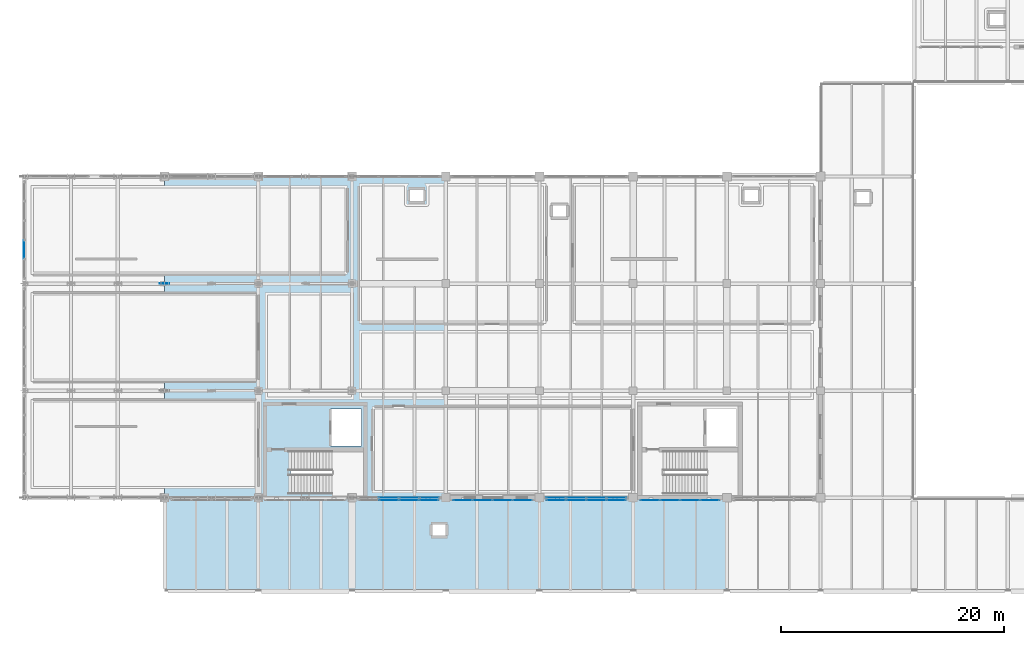
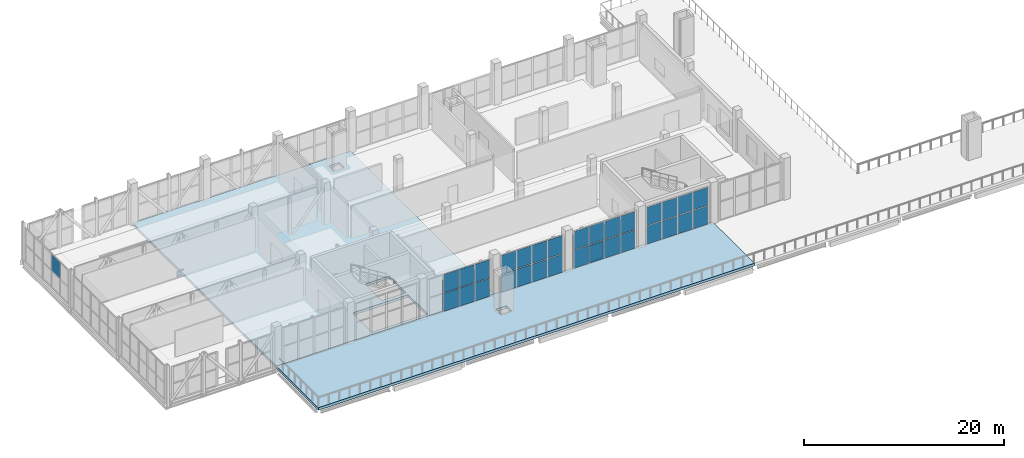
# One storey, part 50 of 77: 46 plates, 2 slabs, 7 elements without a shape of their own.
"""IFC4 building model written with IfcOpenShell, lengths in metres."""

from ifc_helpers import new_model, si_unit, direction, frame, origin, origin_2d, place, context, subcontext, project, spatial, polyline, rectangle, outline, extrude, material, layer, layer_set, type_object, element, aggregate, save


model = new_model("IFC4")

# Units and contexts
model_context = context("Model", 3, precision=1e-05, world=origin(), true_north=direction((0.0, 1.0)))
body_context = subcontext(model_context, "Body", "Model", "MODEL_VIEW")
ifc_project = project(units=[si_unit("LENGTHUNIT", "METRE"), si_unit("AREAUNIT", "SQUARE_METRE"), si_unit("VOLUMEUNIT", "CUBIC_METRE"), si_unit("PLANEANGLEUNIT", "RADIAN"), si_unit("MASSUNIT", "GRAM", prefix="KILO")], contexts=[model_context])

# Site, building, storey
site_placement = place(None, origin())
site = spatial("IfcSite", under=ifc_project, at=site_placement, CompositionType="ELEMENT")
building_placement = place(site_placement, origin())
building = spatial("IfcBuilding", under=site, at=building_placement, Name="Zulmaris Art Gallery", CompositionType="ELEMENT")
storey_placement = place(building_placement, frame((0.0, 0.0, 15.60009765625)))
storey = spatial("IfcBuildingStorey", under=building, at=storey_placement, Name="L03", CompositionType="ELEMENT", Elevation=15.60009765625)

# Curtain wall, plates
ifc_material_1 = material(Name="Unitised Low-E Gallery Curtain Wall", Category="aluminium")
ifc_layer_1 = layer(ifc_material_1, 0.179931640625)
ifc_layer_set_1 = layer_set([ifc_layer_1], Name="Unitised Low-E Gallery Curtain Wall")
curtain_wall_type_1 = type_object("IfcCurtainWallType", Name="CW-CW01", PredefinedType="NOTDEFINED", material=ifc_layer_set_1)
curtain_wall_1_placement = place(storey_placement, origin())
curtain_wall_1 = element("IfcCurtainWall", 1, at=curtain_wall_1_placement, inside=storey, type_object=curtain_wall_type_1, Name="L03 curtain wall 8", PredefinedType="NOTDEFINED")
ifc_material_2 = material(Name="Triple Solar-Control Laminated Glass", Category="glass")
ifc_layer_2 = layer(ifc_material_2, 0.035888671875)
ifc_layer_set_2 = layer_set([ifc_layer_2], Name="Triple Solar-Control Laminated Glass")
plate_type_1 = type_object("IfcPlateType", Name="CWPAN-GLZ", PredefinedType="CURTAIN_PANEL", material=ifc_layer_set_2)
plate_1_placement = place(storey_placement, frame((44.0849609375, 21.60009765625, 0.074951171875), z_axis=(0.0, 0.0, 1.0), x_axis=(1.0, 0.0, 0.0)))
plate_1 = element("IfcPlate", 2, at=plate_1_placement, type_object=plate_type_1, Name="CW01 panel 2.1", PredefinedType="CURTAIN_PANEL", context=body_context, shape_type="SweptSolid", body=[
    extrude(rectangle(XDim=1.7548828125, YDim=0.031982421875, at=origin_2d()), origin(), (0.0, 0.0, 1.0), 1.79248046875),
])
plate_2_placement = place(storey_placement, frame((44.0849609375, 21.60009765625, 1.9423828125), z_axis=(0.0, 0.0, 1.0), x_axis=(1.0, 0.0, 0.0)))
plate_2 = element("IfcPlate", 3, at=plate_2_placement, type_object=plate_type_1, Name="CW01 panel 2.2", PredefinedType="CURTAIN_PANEL", context=body_context, shape_type="SweptSolid", body=[
    extrude(rectangle(XDim=1.7548828125, YDim=0.031982421875, at=origin_2d()), origin(), (0.0, 0.0, 1.0), 1.79248046875),
])
plate_3_placement = place(storey_placement, frame((45.9150390625, 21.60009765625, 0.074951171875), z_axis=(0.0, 0.0, 1.0), x_axis=(1.0, 0.0, 0.0)))
plate_3 = element("IfcPlate", 4, at=plate_3_placement, type_object=plate_type_1, Name="CW01 panel 3.1", PredefinedType="CURTAIN_PANEL", context=body_context, shape_type="SweptSolid", body=[
    extrude(rectangle(XDim=1.7548828125, YDim=0.031982421875, at=origin_2d()), origin(), (0.0, 0.0, 1.0), 1.79248046875),
])
plate_4_placement = place(storey_placement, frame((45.9150390625, 21.60009765625, 1.9423828125), z_axis=(0.0, 0.0, 1.0), x_axis=(1.0, 0.0, 0.0)))
plate_4 = element("IfcPlate", 5, at=plate_4_placement, type_object=plate_type_1, Name="CW01 panel 3.2", PredefinedType="CURTAIN_PANEL", context=body_context, shape_type="SweptSolid", body=[
    extrude(rectangle(XDim=1.7548828125, YDim=0.031982421875, at=origin_2d()), origin(), (0.0, 0.0, 1.0), 1.79248046875),
])
plate_5_placement = place(storey_placement, frame((47.726318359375, 21.60009765625, 0.074951171875), z_axis=(0.0, 0.0, 1.0), x_axis=(1.0, 0.0, 0.0)))
plate_5 = element("IfcPlate", 6, at=plate_5_placement, type_object=plate_type_1, Name="CW01 panel 4.1", PredefinedType="CURTAIN_PANEL", context=body_context, shape_type="SweptSolid", body=[
    extrude(rectangle(XDim=1.717529296875, YDim=0.031982421875, at=origin_2d()), origin(), (0.0, 0.0, 1.0), 1.79248046875),
])
plate_6_placement = place(storey_placement, frame((47.726318359375, 21.60009765625, 1.9423828125), z_axis=(0.0, 0.0, 1.0), x_axis=(1.0, 0.0, 0.0)))
plate_6 = element("IfcPlate", 7, at=plate_6_placement, type_object=plate_type_1, Name="CW01 panel 4.2", PredefinedType="CURTAIN_PANEL", context=body_context, shape_type="SweptSolid", body=[
    extrude(rectangle(XDim=1.717529296875, YDim=0.031982421875, at=origin_2d()), origin(), (0.0, 0.0, 1.0), 1.79248046875),
])
aggregate(curtain_wall_1, [plate_1, plate_2, plate_3, plate_4, plate_5, plate_6])

curtain_wall_2_placement = place(storey_placement, origin())
curtain_wall_2 = element("IfcCurtainWall", 8, at=curtain_wall_2_placement, inside=storey, type_object=curtain_wall_type_1, Name="L03 curtain wall 11", PredefinedType="NOTDEFINED")
plate_7_placement = place(storey_placement, frame((59.07373046875, 21.60009765625, 0.07470703125), z_axis=(0.0, 0.0, 1.0), x_axis=(1.0, 0.0, 0.0)))
plate_7 = element("IfcPlate", 9, at=plate_7_placement, type_object=plate_type_1, Name="CW01 panel 1.1", PredefinedType="CURTAIN_PANEL", context=body_context, shape_type="SweptSolid", body=[
    extrude(rectangle(XDim=1.717529296875, YDim=0.031982421875, at=origin_2d()), origin(), (0.0, 0.0, 1.0), 1.947509765625),
])
plate_8_placement = place(storey_placement, frame((59.07373046875, 21.60009765625, 2.09716796875), z_axis=(0.0, 0.0, 1.0), x_axis=(1.0, 0.0, 0.0)))
plate_8 = element("IfcPlate", 10, at=plate_8_placement, type_object=plate_type_1, Name="CW01 panel 1.2", PredefinedType="CURTAIN_PANEL", context=body_context, shape_type="SweptSolid", body=[
    extrude(rectangle(XDim=1.717529296875, YDim=0.031982421875, at=origin_2d()), origin(), (0.0, 0.0, 1.0), 1.947509765625),
])
plate_9_placement = place(storey_placement, frame((60.885009765625, 21.60009765625, 0.07470703125), z_axis=(0.0, 0.0, 1.0), x_axis=(1.0, 0.0, 0.0)))
plate_9 = element("IfcPlate", 11, at=plate_9_placement, type_object=plate_type_1, Name="CW01 panel 2.1", PredefinedType="CURTAIN_PANEL", context=body_context, shape_type="SweptSolid", body=[
    extrude(rectangle(XDim=1.7548828125, YDim=0.031982421875, at=origin_2d()), origin(), (0.0, 0.0, 1.0), 1.947509765625),
])
plate_10_placement = place(storey_placement, frame((60.885009765625, 21.60009765625, 2.09716796875), z_axis=(0.0, 0.0, 1.0), x_axis=(1.0, 0.0, 0.0)))
plate_10 = element("IfcPlate", 12, at=plate_10_placement, type_object=plate_type_1, Name="CW01 panel 2.2", PredefinedType="CURTAIN_PANEL", context=body_context, shape_type="SweptSolid", body=[
    extrude(rectangle(XDim=1.7548828125, YDim=0.031982421875, at=origin_2d()), origin(), (0.0, 0.0, 1.0), 1.947509765625),
])
plate_11_placement = place(storey_placement, frame((62.715087890625, 21.60009765625, 0.07470703125), z_axis=(0.0, 0.0, 1.0), x_axis=(1.0, 0.0, 0.0)))
plate_11 = element("IfcPlate", 13, at=plate_11_placement, type_object=plate_type_1, Name="CW01 panel 3.1", PredefinedType="CURTAIN_PANEL", context=body_context, shape_type="SweptSolid", body=[
    extrude(rectangle(XDim=1.7548828125, YDim=0.031982421875, at=origin_2d()), origin(), (0.0, 0.0, 1.0), 1.947509765625),
])
plate_12_placement = place(storey_placement, frame((62.715087890625, 21.60009765625, 2.09716796875), z_axis=(0.0, 0.0, 1.0), x_axis=(1.0, 0.0, 0.0)))
plate_12 = element("IfcPlate", 14, at=plate_12_placement, type_object=plate_type_1, Name="CW01 panel 3.2", PredefinedType="CURTAIN_PANEL", context=body_context, shape_type="SweptSolid", body=[
    extrude(rectangle(XDim=1.7548828125, YDim=0.031982421875, at=origin_2d()), origin(), (0.0, 0.0, 1.0), 1.947509765625),
])
plate_13_placement = place(storey_placement, frame((64.5263671875, 21.60009765625, 0.07470703125), z_axis=(0.0, 0.0, 1.0), x_axis=(1.0, 0.0, 0.0)))
plate_13 = element("IfcPlate", 15, at=plate_13_placement, type_object=plate_type_1, Name="CW01 panel 4.1", PredefinedType="CURTAIN_PANEL", context=body_context, shape_type="SweptSolid", body=[
    extrude(rectangle(XDim=1.717529296875, YDim=0.031982421875, at=origin_2d()), origin(), (0.0, 0.0, 1.0), 1.947509765625),
])
plate_14_placement = place(storey_placement, frame((64.5263671875, 21.60009765625, 2.09716796875), z_axis=(0.0, 0.0, 1.0), x_axis=(1.0, 0.0, 0.0)))
plate_14 = element("IfcPlate", 16, at=plate_14_placement, type_object=plate_type_1, Name="CW01 panel 4.2", PredefinedType="CURTAIN_PANEL", context=body_context, shape_type="SweptSolid", body=[
    extrude(rectangle(XDim=1.717529296875, YDim=0.031982421875, at=origin_2d()), origin(), (0.0, 0.0, 1.0), 1.947509765625),
])
aggregate(curtain_wall_2, [plate_7, plate_8, plate_9, plate_10, plate_11, plate_12, plate_13, plate_14])

# Curtain wall, plate
ifc_material_3 = material(Name="Belvedere Horizon Glazed Curtain Wall", Category="aluminium")
ifc_layer_3 = layer(ifc_material_3, 0.179931640625)
ifc_layer_set_3 = layer_set([ifc_layer_3], Name="Belvedere Horizon Glazed Curtain Wall")
curtain_wall_type_2 = type_object("IfcCurtainWallType", Name="CW-CW02", PredefinedType="NOTDEFINED", material=ifc_layer_set_3)
curtain_wall_3_placement = place(storey_placement, origin())
curtain_wall_3 = element("IfcCurtainWall", 17, at=curtain_wall_3_placement, inside=storey, type_object=curtain_wall_type_2, Name="L03 curtain wall 18", PredefinedType="NOTDEFINED")
plate_15_placement = place(storey_placement, frame((11.39990234375, 43.860107421875, 2.1171875), z_axis=(0.0, 0.0, 1.0), x_axis=(0.0, 1.0, 0.0)))
plate_15 = element("IfcPlate", 18, at=plate_15_placement, type_object=plate_type_1, Name="CW02 panel 2.2", PredefinedType="CURTAIN_PANEL", context=body_context, shape_type="SweptSolid", body=[
    extrude(rectangle(XDim=1.6650390625, YDim=0.031982421875, at=origin_2d()), origin(), (0.0, 0.0, 1.0), 1.967529296875),
])
aggregate(curtain_wall_3, [plate_15])

# Curtain wall, plates
ifc_material_4 = material(Name="Perforated Bronze Art Deco Mashrabiya Screen", Category="aluminium")
ifc_layer_4 = layer(ifc_material_4, 0.179931640625)
ifc_layer_set_4 = layer_set([ifc_layer_4], Name="Perforated Bronze Art Deco Mashrabiya Screen")
curtain_wall_type_3 = type_object("IfcCurtainWallType", Name="CW-CW06", PredefinedType="USERDEFINED", material=ifc_layer_set_4)
curtain_wall_4_placement = place(storey_placement, origin())
curtain_wall_4 = element("IfcCurtainWall", 19, at=curtain_wall_4_placement, inside=storey, type_object=curtain_wall_type_3, Name="L03 Mashrabiya screen 173", ObjectType="MASHRABIYA SCREEN", PredefinedType="USERDEFINED")
ifc_material_5 = material(Name="Perforated Cast Bronze Chevron Panel", Category="aluminium")
ifc_layer_5 = layer(ifc_material_5, 0.02392578125)
ifc_layer_set_5 = layer_set([ifc_layer_5], Name="Perforated Cast Bronze Chevron Panel")
plate_type_2 = type_object("IfcPlateType", Name="CWPAN-MSH", PredefinedType="CURTAIN_PANEL", material=ifc_layer_set_5)
plate_16_placement = place(storey_placement, frame((44.10009765625, 21.3798828125, 0.074951171875), z_axis=(0.0, 0.0, 1.0), x_axis=(1.0, 0.0, 0.0)))
plate_16 = element("IfcPlate", 20, at=plate_16_placement, type_object=plate_type_2, Name="CW06 panel 2.1", PredefinedType="CURTAIN_PANEL", context=body_context, shape_type="SweptSolid", body=[
    extrude(rectangle(XDim=1.72509765625, YDim=0.031982421875, at=origin_2d()), origin(), (0.0, 0.0, 1.0), 2.21240234375),
])
plate_17_placement = place(storey_placement, frame((44.10009765625, 21.3798828125, 2.362548828125), z_axis=(0.0, 0.0, 1.0), x_axis=(1.0, 0.0, 0.0)))
plate_17 = element("IfcPlate", 21, at=plate_17_placement, type_object=plate_type_2, Name="CW06 panel 2.2", PredefinedType="CURTAIN_PANEL", context=body_context, shape_type="SweptSolid", body=[
    extrude(rectangle(XDim=1.72509765625, YDim=0.031982421875, at=origin_2d()), origin(), (0.0, 0.0, 1.0), 2.21240234375),
])
plate_18_placement = place(storey_placement, frame((45.89990234375, 21.3798828125, 0.074951171875), z_axis=(0.0, 0.0, 1.0), x_axis=(1.0, 0.0, 0.0)))
plate_18 = element("IfcPlate", 22, at=plate_18_placement, type_object=plate_type_2, Name="CW06 panel 3.1", PredefinedType="CURTAIN_PANEL", context=body_context, shape_type="SweptSolid", body=[
    extrude(rectangle(XDim=1.72509765625, YDim=0.031982421875, at=origin_2d()), origin(), (0.0, 0.0, 1.0), 2.21240234375),
])
plate_19_placement = place(storey_placement, frame((45.89990234375, 21.3798828125, 2.362548828125), z_axis=(0.0, 0.0, 1.0), x_axis=(1.0, 0.0, 0.0)))
plate_19 = element("IfcPlate", 23, at=plate_19_placement, type_object=plate_type_2, Name="CW06 panel 3.2", PredefinedType="CURTAIN_PANEL", context=body_context, shape_type="SweptSolid", body=[
    extrude(rectangle(XDim=1.72509765625, YDim=0.031982421875, at=origin_2d()), origin(), (0.0, 0.0, 1.0), 2.21240234375),
])
plate_20_placement = place(storey_placement, frame((47.68115234375, 21.3798828125, 0.074951171875), z_axis=(0.0, 0.0, 1.0), x_axis=(1.0, 0.0, 0.0)))
plate_20 = element("IfcPlate", 24, at=plate_20_placement, type_object=plate_type_2, Name="CW06 panel 4.1", PredefinedType="CURTAIN_PANEL", context=body_context, shape_type="SweptSolid", body=[
    extrude(rectangle(XDim=1.6875, YDim=0.031982421875, at=origin_2d()), origin(), (0.0, 0.0, 1.0), 2.21240234375),
])
plate_21_placement = place(storey_placement, frame((47.68115234375, 21.3798828125, 2.362548828125), z_axis=(0.0, 0.0, 1.0), x_axis=(1.0, 0.0, 0.0)))
plate_21 = element("IfcPlate", 25, at=plate_21_placement, type_object=plate_type_2, Name="CW06 panel 4.2", PredefinedType="CURTAIN_PANEL", context=body_context, shape_type="SweptSolid", body=[
    extrude(rectangle(XDim=1.6875, YDim=0.031982421875, at=origin_2d()), origin(), (0.0, 0.0, 1.0), 2.21240234375),
])
aggregate(curtain_wall_4, [plate_16, plate_17, plate_18, plate_19, plate_20, plate_21])

curtain_wall_5_placement = place(storey_placement, origin())
curtain_wall_5 = element("IfcCurtainWall", 26, at=curtain_wall_5_placement, inside=storey, type_object=curtain_wall_type_3, Name="L03 Mashrabiya screen 174", ObjectType="MASHRABIYA SCREEN", PredefinedType="USERDEFINED")
plate_22_placement = place(storey_placement, frame((50.71875, 21.3798828125, 0.074951171875), z_axis=(0.0, 0.0, 1.0), x_axis=(1.0, 0.0, 0.0)))
plate_22 = element("IfcPlate", 27, at=plate_22_placement, type_object=plate_type_2, Name="CW06 panel 1.1", PredefinedType="CURTAIN_PANEL", context=body_context, shape_type="SweptSolid", body=[
    extrude(rectangle(XDim=1.6875, YDim=0.031982421875, at=origin_2d()), origin(), (0.0, 0.0, 1.0), 2.21240234375),
])
plate_23_placement = place(storey_placement, frame((50.71875, 21.3798828125, 2.362548828125), z_axis=(0.0, 0.0, 1.0), x_axis=(1.0, 0.0, 0.0)))
plate_23 = element("IfcPlate", 28, at=plate_23_placement, type_object=plate_type_2, Name="CW06 panel 1.2", PredefinedType="CURTAIN_PANEL", context=body_context, shape_type="SweptSolid", body=[
    extrude(rectangle(XDim=1.6875, YDim=0.031982421875, at=origin_2d()), origin(), (0.0, 0.0, 1.0), 2.21240234375),
])
plate_24_placement = place(storey_placement, frame((52.5, 21.3798828125, 0.074951171875), z_axis=(0.0, 0.0, 1.0), x_axis=(1.0, 0.0, 0.0)))
plate_24 = element("IfcPlate", 29, at=plate_24_placement, type_object=plate_type_2, Name="CW06 panel 2.1", PredefinedType="CURTAIN_PANEL", context=body_context, shape_type="SweptSolid", body=[
    extrude(rectangle(XDim=1.72509765625, YDim=0.031982421875, at=origin_2d()), origin(), (0.0, 0.0, 1.0), 2.21240234375),
])
plate_25_placement = place(storey_placement, frame((52.5, 21.3798828125, 2.362548828125), z_axis=(0.0, 0.0, 1.0), x_axis=(1.0, 0.0, 0.0)))
plate_25 = element("IfcPlate", 30, at=plate_25_placement, type_object=plate_type_2, Name="CW06 panel 2.2", PredefinedType="CURTAIN_PANEL", context=body_context, shape_type="SweptSolid", body=[
    extrude(rectangle(XDim=1.72509765625, YDim=0.031982421875, at=origin_2d()), origin(), (0.0, 0.0, 1.0), 2.21240234375),
])
plate_26_placement = place(storey_placement, frame((54.300048828125, 21.3798828125, 0.074951171875), z_axis=(0.0, 0.0, 1.0), x_axis=(1.0, 0.0, 0.0)))
plate_26 = element("IfcPlate", 31, at=plate_26_placement, type_object=plate_type_2, Name="CW06 panel 3.1", PredefinedType="CURTAIN_PANEL", context=body_context, shape_type="SweptSolid", body=[
    extrude(rectangle(XDim=1.72509765625, YDim=0.031982421875, at=origin_2d()), origin(), (0.0, 0.0, 1.0), 2.21240234375),
])
plate_27_placement = place(storey_placement, frame((54.300048828125, 21.3798828125, 2.362548828125), z_axis=(0.0, 0.0, 1.0), x_axis=(1.0, 0.0, 0.0)))
plate_27 = element("IfcPlate", 32, at=plate_27_placement, type_object=plate_type_2, Name="CW06 panel 3.2", PredefinedType="CURTAIN_PANEL", context=body_context, shape_type="SweptSolid", body=[
    extrude(rectangle(XDim=1.72509765625, YDim=0.031982421875, at=origin_2d()), origin(), (0.0, 0.0, 1.0), 2.21240234375),
])
plate_28_placement = place(storey_placement, frame((56.081298828125, 21.3798828125, 0.074951171875), z_axis=(0.0, 0.0, 1.0), x_axis=(1.0, 0.0, 0.0)))
plate_28 = element("IfcPlate", 33, at=plate_28_placement, type_object=plate_type_2, Name="CW06 panel 4.1", PredefinedType="CURTAIN_PANEL", context=body_context, shape_type="SweptSolid", body=[
    extrude(rectangle(XDim=1.6875, YDim=0.031982421875, at=origin_2d()), origin(), (0.0, 0.0, 1.0), 2.21240234375),
])
plate_29_placement = place(storey_placement, frame((56.081298828125, 21.3798828125, 2.362548828125), z_axis=(0.0, 0.0, 1.0), x_axis=(1.0, 0.0, 0.0)))
plate_29 = element("IfcPlate", 34, at=plate_29_placement, type_object=plate_type_2, Name="CW06 panel 4.2", PredefinedType="CURTAIN_PANEL", context=body_context, shape_type="SweptSolid", body=[
    extrude(rectangle(XDim=1.6875, YDim=0.031982421875, at=origin_2d()), origin(), (0.0, 0.0, 1.0), 2.21240234375),
])
aggregate(curtain_wall_5, [plate_22, plate_23, plate_24, plate_25, plate_26, plate_27, plate_28, plate_29])

curtain_wall_6_placement = place(storey_placement, origin())
curtain_wall_6 = element("IfcCurtainWall", 35, at=curtain_wall_6_placement, inside=storey, type_object=curtain_wall_type_3, Name="L03 Mashrabiya screen 175", ObjectType="MASHRABIYA SCREEN", PredefinedType="USERDEFINED")
plate_30_placement = place(storey_placement, frame((59.11865234375, 21.3798828125, 0.074951171875), z_axis=(0.0, 0.0, 1.0), x_axis=(1.0, 0.0, 0.0)))
plate_30 = element("IfcPlate", 36, at=plate_30_placement, type_object=plate_type_2, Name="CW06 panel 1.1", PredefinedType="CURTAIN_PANEL", context=body_context, shape_type="SweptSolid", body=[
    extrude(rectangle(XDim=1.6875, YDim=0.031982421875, at=origin_2d()), origin(), (0.0, 0.0, 1.0), 2.21240234375),
])
plate_31_placement = place(storey_placement, frame((59.11865234375, 21.3798828125, 2.362548828125), z_axis=(0.0, 0.0, 1.0), x_axis=(1.0, 0.0, 0.0)))
plate_31 = element("IfcPlate", 37, at=plate_31_placement, type_object=plate_type_2, Name="CW06 panel 1.2", PredefinedType="CURTAIN_PANEL", context=body_context, shape_type="SweptSolid", body=[
    extrude(rectangle(XDim=1.6875, YDim=0.031982421875, at=origin_2d()), origin(), (0.0, 0.0, 1.0), 2.21240234375),
])
plate_32_placement = place(storey_placement, frame((60.89990234375, 21.3798828125, 0.074951171875), z_axis=(0.0, 0.0, 1.0), x_axis=(1.0, 0.0, 0.0)))
plate_32 = element("IfcPlate", 38, at=plate_32_placement, type_object=plate_type_2, Name="CW06 panel 2.1", PredefinedType="CURTAIN_PANEL", context=body_context, shape_type="SweptSolid", body=[
    extrude(rectangle(XDim=1.72509765625, YDim=0.031982421875, at=origin_2d()), origin(), (0.0, 0.0, 1.0), 2.21240234375),
])
plate_33_placement = place(storey_placement, frame((60.89990234375, 21.3798828125, 2.362548828125), z_axis=(0.0, 0.0, 1.0), x_axis=(1.0, 0.0, 0.0)))
plate_33 = element("IfcPlate", 39, at=plate_33_placement, type_object=plate_type_2, Name="CW06 panel 2.2", PredefinedType="CURTAIN_PANEL", context=body_context, shape_type="SweptSolid", body=[
    extrude(rectangle(XDim=1.72509765625, YDim=0.031982421875, at=origin_2d()), origin(), (0.0, 0.0, 1.0), 2.21240234375),
])
plate_34_placement = place(storey_placement, frame((62.699951171875, 21.3798828125, 0.074951171875), z_axis=(0.0, 0.0, 1.0), x_axis=(1.0, 0.0, 0.0)))
plate_34 = element("IfcPlate", 40, at=plate_34_placement, type_object=plate_type_2, Name="CW06 panel 3.1", PredefinedType="CURTAIN_PANEL", context=body_context, shape_type="SweptSolid", body=[
    extrude(rectangle(XDim=1.72509765625, YDim=0.031982421875, at=origin_2d()), origin(), (0.0, 0.0, 1.0), 2.21240234375),
])
plate_35_placement = place(storey_placement, frame((62.699951171875, 21.3798828125, 2.362548828125), z_axis=(0.0, 0.0, 1.0), x_axis=(1.0, 0.0, 0.0)))
plate_35 = element("IfcPlate", 41, at=plate_35_placement, type_object=plate_type_2, Name="CW06 panel 3.2", PredefinedType="CURTAIN_PANEL", context=body_context, shape_type="SweptSolid", body=[
    extrude(rectangle(XDim=1.72509765625, YDim=0.031982421875, at=origin_2d()), origin(), (0.0, 0.0, 1.0), 2.21240234375),
])
plate_36_placement = place(storey_placement, frame((64.481201171875, 21.3798828125, 0.074951171875), z_axis=(0.0, 0.0, 1.0), x_axis=(1.0, 0.0, 0.0)))
plate_36 = element("IfcPlate", 42, at=plate_36_placement, type_object=plate_type_2, Name="CW06 panel 4.1", PredefinedType="CURTAIN_PANEL", context=body_context, shape_type="SweptSolid", body=[
    extrude(rectangle(XDim=1.6875, YDim=0.031982421875, at=origin_2d()), origin(), (0.0, 0.0, 1.0), 2.21240234375),
])
plate_37_placement = place(storey_placement, frame((64.481201171875, 21.3798828125, 2.362548828125), z_axis=(0.0, 0.0, 1.0), x_axis=(1.0, 0.0, 0.0)))
plate_37 = element("IfcPlate", 43, at=plate_37_placement, type_object=plate_type_2, Name="CW06 panel 4.2", PredefinedType="CURTAIN_PANEL", context=body_context, shape_type="SweptSolid", body=[
    extrude(rectangle(XDim=1.6875, YDim=0.031982421875, at=origin_2d()), origin(), (0.0, 0.0, 1.0), 2.21240234375),
])
aggregate(curtain_wall_6, [plate_30, plate_31, plate_32, plate_33, plate_34, plate_35, plate_36, plate_37])

curtain_wall_7_placement = place(storey_placement, origin())
curtain_wall_7 = element("IfcCurtainWall", 44, at=curtain_wall_7_placement, inside=storey, type_object=curtain_wall_type_3, Name="L03 Mashrabiya screen 176", ObjectType="MASHRABIYA SCREEN", PredefinedType="USERDEFINED")
plate_38_placement = place(storey_placement, frame((67.518798828125, 21.3798828125, 0.074951171875), z_axis=(0.0, 0.0, 1.0), x_axis=(1.0, 0.0, 0.0)))
plate_38 = element("IfcPlate", 45, at=plate_38_placement, type_object=plate_type_2, Name="CW06 panel 1.1", PredefinedType="CURTAIN_PANEL", context=body_context, shape_type="SweptSolid", body=[
    extrude(rectangle(XDim=1.6875, YDim=0.031982421875, at=origin_2d()), origin(), (0.0, 0.0, 1.0), 2.21240234375),
])
plate_39_placement = place(storey_placement, frame((67.518798828125, 21.3798828125, 2.362548828125), z_axis=(0.0, 0.0, 1.0), x_axis=(1.0, 0.0, 0.0)))
plate_39 = element("IfcPlate", 46, at=plate_39_placement, type_object=plate_type_2, Name="CW06 panel 1.2", PredefinedType="CURTAIN_PANEL", context=body_context, shape_type="SweptSolid", body=[
    extrude(rectangle(XDim=1.6875, YDim=0.031982421875, at=origin_2d()), origin(), (0.0, 0.0, 1.0), 2.21240234375),
])
plate_40_placement = place(storey_placement, frame((69.300048828125, 21.3798828125, 0.074951171875), z_axis=(0.0, 0.0, 1.0), x_axis=(1.0, 0.0, 0.0)))
plate_40 = element("IfcPlate", 47, at=plate_40_placement, type_object=plate_type_2, Name="CW06 panel 2.1", PredefinedType="CURTAIN_PANEL", context=body_context, shape_type="SweptSolid", body=[
    extrude(rectangle(XDim=1.72509765625, YDim=0.031982421875, at=origin_2d()), origin(), (0.0, 0.0, 1.0), 2.21240234375),
])
plate_41_placement = place(storey_placement, frame((69.300048828125, 21.3798828125, 2.362548828125), z_axis=(0.0, 0.0, 1.0), x_axis=(1.0, 0.0, 0.0)))
plate_41 = element("IfcPlate", 48, at=plate_41_placement, type_object=plate_type_2, Name="CW06 panel 2.2", PredefinedType="CURTAIN_PANEL", context=body_context, shape_type="SweptSolid", body=[
    extrude(rectangle(XDim=1.72509765625, YDim=0.031982421875, at=origin_2d()), origin(), (0.0, 0.0, 1.0), 2.21240234375),
])
plate_42_placement = place(storey_placement, frame((71.10009765625, 21.3798828125, 0.074951171875), z_axis=(0.0, 0.0, 1.0), x_axis=(1.0, 0.0, 0.0)))
plate_42 = element("IfcPlate", 49, at=plate_42_placement, type_object=plate_type_2, Name="CW06 panel 3.1", PredefinedType="CURTAIN_PANEL", context=body_context, shape_type="SweptSolid", body=[
    extrude(rectangle(XDim=1.72509765625, YDim=0.031982421875, at=origin_2d()), origin(), (0.0, 0.0, 1.0), 2.21240234375),
])
plate_43_placement = place(storey_placement, frame((71.10009765625, 21.3798828125, 2.362548828125), z_axis=(0.0, 0.0, 1.0), x_axis=(1.0, 0.0, 0.0)))
plate_43 = element("IfcPlate", 50, at=plate_43_placement, type_object=plate_type_2, Name="CW06 panel 3.2", PredefinedType="CURTAIN_PANEL", context=body_context, shape_type="SweptSolid", body=[
    extrude(rectangle(XDim=1.72509765625, YDim=0.031982421875, at=origin_2d()), origin(), (0.0, 0.0, 1.0), 2.21240234375),
])
plate_44_placement = place(storey_placement, frame((72.88134765625, 21.3798828125, 0.074951171875), z_axis=(0.0, 0.0, 1.0), x_axis=(1.0, 0.0, 0.0)))
plate_44 = element("IfcPlate", 51, at=plate_44_placement, type_object=plate_type_2, Name="CW06 panel 4.1", PredefinedType="CURTAIN_PANEL", context=body_context, shape_type="SweptSolid", body=[
    extrude(rectangle(XDim=1.6875, YDim=0.031982421875, at=origin_2d()), origin(), (0.0, 0.0, 1.0), 2.21240234375),
])
plate_45_placement = place(storey_placement, frame((72.88134765625, 21.3798828125, 2.362548828125), z_axis=(0.0, 0.0, 1.0), x_axis=(1.0, 0.0, 0.0)))
plate_45 = element("IfcPlate", 52, at=plate_45_placement, type_object=plate_type_2, Name="CW06 panel 4.2", PredefinedType="CURTAIN_PANEL", context=body_context, shape_type="SweptSolid", body=[
    extrude(rectangle(XDim=1.6875, YDim=0.031982421875, at=origin_2d()), origin(), (0.0, 0.0, 1.0), 2.21240234375),
])
aggregate(curtain_wall_7, [plate_38, plate_39, plate_40, plate_41, plate_42, plate_43, plate_44, plate_45])

# Plate
ifc_material_6 = material(Name="Steel S355J2", Category="steel")
ifc_layer_6 = layer(ifc_material_6, 0.035888671875)
ifc_layer_set_6 = layer_set([ifc_layer_6], Name="Steel S355J2")
plate_type_3 = type_object("IfcPlateType", Name="PLT-GP04", PredefinedType="USERDEFINED", material=ifc_layer_set_6)
plate_46_placement = place(storey_placement, frame((24.0, 40.800048828125, -0.6259765625), z_axis=(0.0, 0.0, 1.0), x_axis=(1.0, 0.0, 0.0)))
element("IfcPlate", 53, at=plate_46_placement, inside=storey, type_object=plate_type_3, Name="Cantilever truss TR-C3 node gusset 4", ObjectType="GUSSET PLATE", PredefinedType="USERDEFINED", context=body_context, shape_type="SweptSolid", body=[
    extrude(rectangle(XDim=0.840087890625, YDim=0.035888671875, at=origin_2d()), origin(), (0.0, 0.0, 1.0), 0.679931640625),
])

# Slabs
ifc_material_7 = material(Name="Concrete C40/50", Category="concrete")
ifc_layer_7 = layer(ifc_material_7, 0.31005859375)
ifc_layer_set_7 = layer_set([ifc_layer_7], Name="Concrete C40/50")
slab_type_1 = type_object("IfcSlabType", Name="SLAB-SL-FL03", PredefinedType="FLOOR", material=ifc_layer_set_7)
slab_1_placement = place(storey_placement, frame((0.0, 0.0, -0.31005859375)))
element("IfcSlab", 54, at=slab_1_placement, inside=storey, type_object=slab_type_1, Name="L03 V1-BACK-W slab", PredefinedType="FLOOR", context=body_context, shape_type="SweptSolid", body=[
    extrude(outline(polyline([(24.0, 21.60009765625), (24.0, 50.39990234375), (49.199951171875, 50.39990234375), (49.199951171875, 21.60009765625), (24.0, 21.60009765625)]), holes=[polyline([(35.260009765625, 21.949951171875), (41.64990234375, 21.949951171875), (41.64990234375, 25.7900390625), (35.260009765625, 25.7900390625), (35.260009765625, 21.949951171875)]), polyline([(41.64990234375, 26.219970703125), (41.64990234375, 29.550048828125), (38.85009765625, 29.550048828125), (38.85009765625, 26.219970703125), (41.64990234375, 26.219970703125)]), polyline([(47.199951171875, 48.199951171875), (47.199951171875, 49.199951171875), (46.0, 49.199951171875), (46.0, 48.199951171875), (47.199951171875, 48.199951171875)])]), origin(), (0.0, 0.0, 1.0), 0.31005859375),
])
ifc_layer_8 = layer(ifc_material_7, 0.320068359375)
ifc_layer_set_8 = layer_set([ifc_layer_8], Name="Concrete C40/50")
slab_type_2 = type_object("IfcSlabType", Name="SLAB-SL-TER02", PredefinedType="ROOF", material=ifc_layer_set_8)
slab_2_placement = place(storey_placement, frame((0.0, 0.0, -0.320068359375)))
element("IfcSlab", 55, at=slab_2_placement, inside=storey, type_object=slab_type_2, Name="L03 V2-ROOF-W slab", PredefinedType="ROOF", context=body_context, shape_type="SweptSolid", body=[
    extrude(outline(polyline([(24.0, 13.199951171875), (24.0, 21.60009765625), (74.39990234375, 21.60009765625), (74.39990234375, 13.199951171875), (24.0, 13.199951171875)]), holes=[polyline([(49.199951171875, 19.199951171875), (48.0, 19.199951171875), (48.0, 18.199951171875), (49.199951171875, 18.199951171875), (49.199951171875, 19.199951171875)])]), origin(), (0.0, 0.0, 1.0), 0.320068359375),
])

save(model, "model.ifc")
